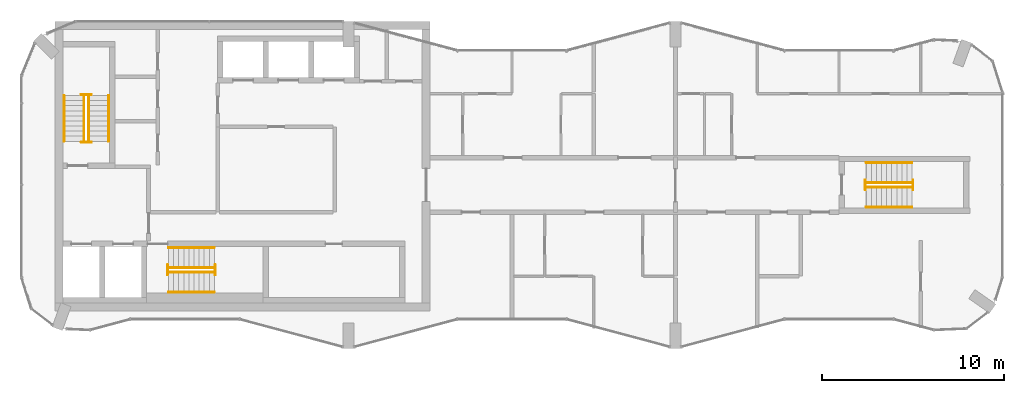
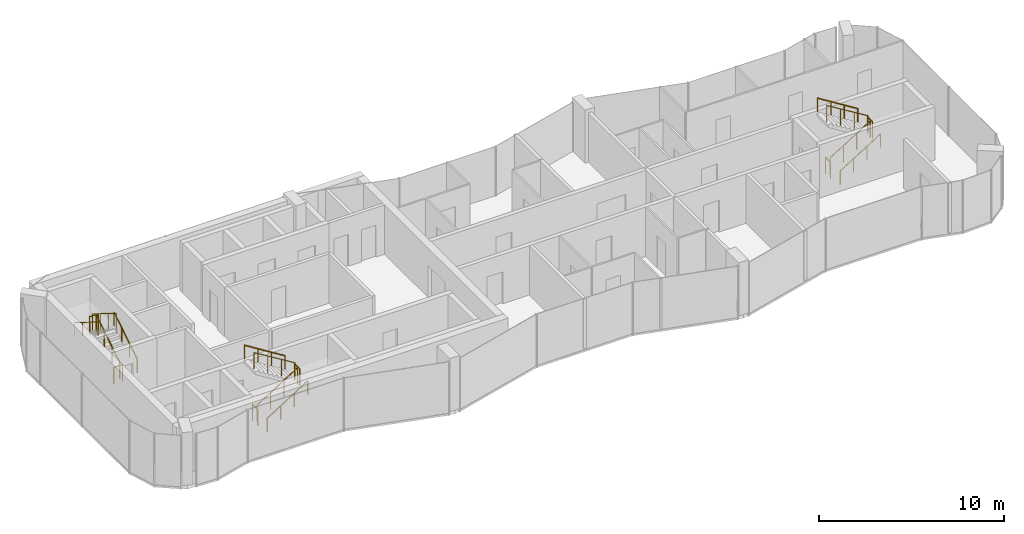
# One storey, part 10 of 10: 18 railings.
"""IFC4 building model written with IfcOpenShell, lengths in metres."""

import ifcopenshell
import ifcopenshell.guid

model = None  # the IFC model being written
_history = None  # IfcOwnerHistory: only IFC2X3 demands one
_inside = {}  # id of a spatial element -> (the spatial element, [elements in it])
_under = {}  # id of a project, library or spatial element -> (it, [spatial elements below it])
_declared = {}  # id of a project -> (the project, [libraries it declares])
_typed = {}  # id of a type object -> (the type object, [elements of that type])
_made_of = {}  # id of a material, layer set ... -> (it, [elements and type objects made of it])


def new_model(schema):
    """Start an empty IFC model of exactly this schema.

    Asked for "IFC4X3", IfcOpenShell would pick the latest addendum, in which some entities
    have other attributes; the version numbers below select the first issue.
    IFC2X3 requires an IfcOwnerHistory on every rooted entity: one is made here for all.
    """
    global model, _history
    if schema == "IFC4X3":
        model = ifcopenshell.file(schema_version=(4, 3, 0, 0))
    else:
        model = ifcopenshell.file(schema=schema)
    _inside.clear()
    _under.clear()
    _declared.clear()
    _typed.clear()
    _made_of.clear()
    _history = None
    if model.schema == "IFC2X3":
        org = make("IfcOrganization", Name="unknown")
        user = make(
            "IfcPersonAndOrganization",
            ThePerson=make("IfcPerson", FamilyName="unknown"),
            TheOrganization=org,
        )
        app = make(
            "IfcApplication",
            ApplicationDeveloper=org,
            Version="unknown",
            ApplicationFullName="unknown",
            ApplicationIdentifier="unknown",
        )
        _history = make(
            "IfcOwnerHistory",
            OwningUser=user,
            OwningApplication=app,
            ChangeAction="ADDED",
            CreationDate=0,
        )
    return model


def make(cls, **values):
    """One entity of the class cls with the attributes given. An attribute that is None is left unset."""
    return model.create_entity(
        cls, **{name: value for name, value in values.items() if value is not None}
    )


def rooted(cls, **values):
    """An entity with a GlobalId (a new one), such as an element, a storey or a relation."""
    return make(cls, GlobalId=ifcopenshell.guid.new(), OwnerHistory=_history, **values)


def si_unit(unit_type, name, prefix=None):
    """IfcSIUnit, for example si_unit("LENGTHUNIT", "METRE", prefix="MILLI")."""
    return make("IfcSIUnit", UnitType=unit_type, Prefix=prefix, Name=name)


def assignment(units):
    """IfcUnitAssignment: the units of a project."""
    return None if units is None else make("IfcUnitAssignment", Units=units)


def point(xyz):
    """IfcCartesianPoint."""
    return None if xyz is None else make("IfcCartesianPoint", Coordinates=xyz)


def direction(xyz):
    """IfcDirection."""
    return None if xyz is None else make("IfcDirection", DirectionRatios=xyz)


def frame(location, z_axis=None, x_axis=None):
    """IfcAxis2Placement3D, a coordinate frame: its origin and axes. An axis left out is left unset."""
    return make(
        "IfcAxis2Placement3D",
        Location=point(location),
        Axis=direction(z_axis),
        RefDirection=direction(x_axis),
    )


def frame_2d(location, x_axis=None):
    """IfcAxis2Placement2D, a coordinate frame in the plane: its origin and x axis."""
    return make(
        "IfcAxis2Placement2D", Location=point(location), RefDirection=direction(x_axis)
    )


def origin():
    """The frame at (0, 0, 0) with its axes left unset."""
    return frame((0.0, 0.0, 0.0))


def origin_2d():
    """The frame at (0, 0) in the plane with its x axis left unset."""
    return frame_2d((0.0, 0.0))


def place(relative_to, where):
    """IfcLocalPlacement: puts the frame where relative to a parent placement (None: the world)."""
    return make(
        "IfcLocalPlacement", PlacementRelTo=relative_to, RelativePlacement=where
    )


def context(
    kind, dimensions, precision=None, world=None, true_north=None, identifier=None
):
    """IfcGeometricRepresentationContext, for example the 3D "Model" context."""
    return make(
        "IfcGeometricRepresentationContext",
        ContextIdentifier=identifier,
        ContextType=kind,
        CoordinateSpaceDimension=dimensions,
        Precision=precision,
        WorldCoordinateSystem=world,
        TrueNorth=true_north,
    )


def subcontext(parent, identifier, kind, view, scale=None):
    """IfcGeometricRepresentationSubContext, for example "Body" below "Model"."""
    return make(
        "IfcGeometricRepresentationSubContext",
        ContextIdentifier=identifier,
        ContextType=kind,
        ParentContext=parent,
        TargetScale=scale,
        TargetView=view,
    )


def project(units=None, contexts=None):
    """IfcProject with its units and contexts."""
    return rooted(
        "IfcProject",
        Name="project",
        RepresentationContexts=contexts,
        UnitsInContext=assignment(units),
    )


def spatial(cls, under=None, at=None, **own):
    """A site, building, storey or space (cls), placed at a placement, below another one or the project."""
    s = rooted(cls, ObjectPlacement=at, **own)
    if under is not None:
        _under.setdefault(under.id(), (under, []))[1].append(s)
    return s


def profile(cls, at=None, kind="AREA", **sizes):
    """A parametric profile (cls). Its sizes go by their IFC names, for example OverallWidth=200.0."""
    return make(cls, ProfileType=kind, Position=at, **sizes)


def circle(**sizes):
    """IfcCircleProfileDef."""
    return profile("IfcCircleProfileDef", **sizes)


def extrude(swept, where, along, depth):
    """IfcExtrudedAreaSolid: the profile swept, set in the frame where, extruded along a direction by depth."""
    return make(
        "IfcExtrudedAreaSolid",
        SweptArea=swept,
        Position=where,
        ExtrudedDirection=direction(along),
        Depth=depth,
    )


def shape(context_of_items, identifier, shape_type, items):
    """IfcShapeRepresentation: the items that make up one representation, for example the "Body"."""
    return make(
        "IfcShapeRepresentation",
        ContextOfItems=context_of_items,
        RepresentationIdentifier=identifier,
        RepresentationType=shape_type,
        Items=items,
    )


def material(Name=None, Category=None):
    """IfcMaterial."""
    return make("IfcMaterial", Name=Name, Category=Category)


def made_of(thing, what):
    """Note that an element or type object is made of a material, layer set ...; save() writes the relation."""
    if what is not None:
        _made_of.setdefault(what.id(), (what, []))[1].append(thing)
    return thing


def type_object(cls, material=None, **own):
    """A type object (cls), such as IfcWallType, which elements share."""
    return made_of(rooted(cls, **own), material)


def element(
    cls,
    number,
    at=None,
    inside=None,
    cuts=None,
    type_object=None,
    material=None,
    context=None,
    identifier="Body",
    shape_type=None,
    held_by="IfcProductDefinitionShape",
    body=None,
    shapes=None,
    **own,
):
    """One element of the class cls, such as IfcWall. Its Tag is "e" and its number.

    at: its placement. inside: the storey or other place that contains it. cuts: it is an
    opening in that element (IfcRelVoidsElement). A single representation is given by context,
    identifier, shape_type and body (its items); several are given by shapes. held_by: the class
    of the entity that holds the representations. save() writes the other relations.
    """
    e = rooted(cls, Tag="e%d" % number, ObjectPlacement=at, **own)
    if body is not None:
        shapes = [shape(context, identifier, shape_type, body)]
    if shapes is not None:
        e.Representation = make(held_by, Representations=shapes)
    if inside is not None:
        _inside.setdefault(inside.id(), (inside, []))[1].append(e)
    if cuts is not None:
        rooted(
            "IfcRelVoidsElement", RelatingBuildingElement=cuts, RelatedOpeningElement=e
        )
    if type_object is not None:
        _typed.setdefault(type_object.id(), (type_object, []))[1].append(e)
    return made_of(e, material)


def aggregate(whole, parts):
    """IfcRelAggregates: a whole, such as a stair, and the parts it consists of."""
    return rooted("IfcRelAggregates", RelatingObject=whole, RelatedObjects=parts)


def save(model, path):
    """Write the relations noted so far, then the file.

    IfcRelAggregates (storeys below a building ...), IfcRelContainedInSpatialStructure (elements
    in a storey), IfcRelDefinesByType, IfcRelAssociatesMaterial and IfcRelDeclares: one each for
    every whole, place, type object, material and project.
    """
    for whole, parts in _under.values():
        aggregate(whole, parts)
    for where, things in _inside.values():
        rooted(
            "IfcRelContainedInSpatialStructure",
            RelatedElements=things,
            RelatingStructure=where,
        )
    for kind, things in _typed.values():
        rooted("IfcRelDefinesByType", RelatedObjects=things, RelatingType=kind)
    for what, things in _made_of.values():
        rooted("IfcRelAssociatesMaterial", RelatedObjects=things, RelatingMaterial=what)
    for by, libraries in _declared.values():
        rooted("IfcRelDeclares", RelatingContext=by, RelatedDefinitions=libraries)
    model.write(path)


model = new_model("IFC4")

# Units and contexts
model_context = context("Model", 3, precision=1e-05, world=origin(), true_north=direction((0.0, 1.0)))
body_context = subcontext(model_context, "Body", "Model", "MODEL_VIEW")
ifc_project = project(units=[si_unit("LENGTHUNIT", "METRE"), si_unit("AREAUNIT", "SQUARE_METRE"), si_unit("VOLUMEUNIT", "CUBIC_METRE"), si_unit("PLANEANGLEUNIT", "RADIAN"), si_unit("MASSUNIT", "GRAM", prefix="KILO")], contexts=[model_context])

# Site, building, storey
site_placement = place(None, origin())
site = spatial("IfcSite", under=ifc_project, at=site_placement, CompositionType="ELEMENT")
building_placement = place(site_placement, origin())
building = spatial("IfcBuilding", under=site, at=building_placement, Name="Plateau Cross Towers", CompositionType="ELEMENT")
storey_placement = place(building_placement, frame((0.0, 0.0, 280.89990234375)))
storey = spatial("IfcBuildingStorey", under=building, at=storey_placement, Name="L74", CompositionType="ELEMENT", Elevation=280.89990234375)

# Railings
ifc_material_1 = material(Name="Stainless steel and toughened glass", Category="steel")
railing_type_1 = type_object("IfcRailingType", Name="RL-GUARD-1100", PredefinedType="GUARDRAIL", material=ifc_material_1)
railing_1_placement = place(storey_placement, frame((3.699951171875, 11.39990234375, 0.175048828125)))
element("IfcRailing", 1, at=railing_1_placement, inside=storey, type_object=railing_type_1, Name="L74 ST-1 stair guard 1", PredefinedType="GUARDRAIL", context=body_context, shape_type="SweptSolid", body=[
    extrude(circle(Radius=0.02392578125, at=origin_2d()), frame((0.0, 0.0, 1.076171875), z_axis=(0.0, 0.848007534815, 0.529984170421), x_axis=(-1.0, 0.0, 0.0)), (0.0, 0.0, 1.0), 2.9716796875),
    extrude(circle(Radius=0.02099609375, at=origin_2d()), origin(), (0.0, 0.0, 1.0), 1.052001953125),
    extrude(circle(Radius=0.02099609375, at=origin_2d()), frame((0.0, 0.840087890625, 0.52490234375)), (0.0, 0.0, 1.0), 1.052001953125),
    extrude(circle(Radius=0.02099609375, at=origin_2d()), frame((0.0, 1.679931640625, 1.050048828125)), (0.0, 0.0, 1.0), 1.052001953125),
    extrude(circle(Radius=0.02099609375, at=origin_2d()), frame((0.0, 2.52001953125, 1.574951171875)), (0.0, 0.0, 1.0), 1.052001953125),
])
railing_2_placement = place(storey_placement, frame((3.85009765625, 13.969970703125, 1.75)))
element("IfcRailing", 2, at=railing_2_placement, inside=storey, type_object=railing_type_1, Name="L74 ST-1 stair guard 2", PredefinedType="GUARDRAIL", context=body_context, shape_type="SweptSolid", body=[
    extrude(circle(Radius=0.02392578125, at=origin_2d()), frame((0.0, 0.0, 1.076171875), z_axis=(-1.0, 0.0, 0.0), x_axis=(0.0, -1.0, 0.0)), (0.0, 0.0, 1.0), 0.550048828125),
    extrude(circle(Radius=0.02099609375, at=origin_2d()), origin(), (0.0, 0.0, 1.0), 1.052001953125),
    extrude(circle(Radius=0.02099609375, at=origin_2d()), frame((-0.550048828125, 0.0, 0.0)), (0.0, 0.0, 1.0), 1.052001953125),
])
railing_3_placement = place(storey_placement, frame((3.449951171875, 13.919921875, 1.925048828125)))
element("IfcRailing", 3, at=railing_3_placement, inside=storey, type_object=railing_type_1, Name="L74 ST-1 stair guard 3", PredefinedType="GUARDRAIL", context=body_context, shape_type="SweptSolid", body=[
    extrude(circle(Radius=0.02392578125, at=origin_2d()), frame((0.0, 0.0, 1.076171875), z_axis=(0.0, -0.852616386126, 0.522537365276), x_axis=(1.0, 0.0, 0.0)), (0.0, 0.0, 1.0), 3.01416015625),
    extrude(circle(Radius=0.02099609375, at=origin_2d()), origin(), (0.0, 0.0, 1.0), 1.052001953125),
    extrude(circle(Radius=0.02099609375, at=origin_2d()), frame((0.0, -0.856689453125, 0.52490234375)), (0.0, 0.0, 1.0), 1.052001953125),
    extrude(circle(Radius=0.02099609375, at=origin_2d()), frame((0.0, -1.713134765625, 1.050048828125)), (0.0, 0.0, 1.0), 1.052001953125),
    extrude(circle(Radius=0.02099609375, at=origin_2d()), frame((0.0, -2.56982421875, 1.574951171875)), (0.0, 0.0, 1.0), 1.052001953125),
])
railing_4_placement = place(storey_placement, frame((3.85009765625, 11.35009765625, 0.0)))
element("IfcRailing", 4, at=railing_4_placement, inside=storey, type_object=railing_type_1, Name="L74 ST-1 stair guard 4", PredefinedType="GUARDRAIL", context=body_context, shape_type="SweptSolid", body=[
    extrude(circle(Radius=0.02392578125, at=origin_2d()), frame((0.0, 0.0, 1.076171875), z_axis=(-1.0, 0.0, 0.0), x_axis=(0.0, -1.0, 0.0)), (0.0, 0.0, 1.0), 0.550048828125),
    extrude(circle(Radius=0.02099609375, at=origin_2d()), origin(), (0.0, 0.0, 1.0), 1.052001953125),
    extrude(circle(Radius=0.02099609375, at=origin_2d()), frame((-0.550048828125, 0.0, 0.0)), (0.0, 0.0, 1.0), 1.052001953125),
])
railing_5_placement = place(storey_placement, frame((8.10009765625, 4.199951171875, 0.175048828125)))
element("IfcRailing", 5, at=railing_5_placement, inside=storey, type_object=railing_type_1, Name="L74 ST-2 stair guard 1", PredefinedType="GUARDRAIL", context=body_context, shape_type="SweptSolid", body=[
    extrude(circle(Radius=0.02392578125, at=origin_2d()), frame((0.0, 0.0, 1.076171875), z_axis=(0.848007534815, 0.0, 0.529984170421), x_axis=(0.0, 1.0, 0.0)), (0.0, 0.0, 1.0), 2.9716796875),
    extrude(circle(Radius=0.02099609375, at=origin_2d()), origin(), (0.0, 0.0, 1.0), 1.052001953125),
    extrude(circle(Radius=0.02099609375, at=origin_2d()), frame((0.840087890625, 0.0, 0.52490234375)), (0.0, 0.0, 1.0), 1.052001953125),
    extrude(circle(Radius=0.02099609375, at=origin_2d()), frame((1.679931640625, 0.0, 1.050048828125)), (0.0, 0.0, 1.0), 1.052001953125),
    extrude(circle(Radius=0.02099609375, at=origin_2d()), frame((2.52001953125, 0.0, 1.574951171875)), (0.0, 0.0, 1.0), 1.052001953125),
])
railing_6_placement = place(storey_placement, frame((10.669921875, 4.050048828125, 1.75)))
element("IfcRailing", 6, at=railing_6_placement, inside=storey, type_object=railing_type_1, Name="L74 ST-2 stair guard 2", PredefinedType="GUARDRAIL", context=body_context, shape_type="SweptSolid", body=[
    extrude(circle(Radius=0.02392578125, at=origin_2d()), frame((0.0, 0.0, 1.076171875), z_axis=(0.0, 1.0, 0.0), x_axis=(-1.0, 0.0, 0.0)), (0.0, 0.0, 1.0), 0.550048828125),
    extrude(circle(Radius=0.02099609375, at=origin_2d()), origin(), (0.0, 0.0, 1.0), 1.052001953125),
    extrude(circle(Radius=0.02099609375, at=origin_2d()), frame((0.0, 0.550048828125, 0.0)), (0.0, 0.0, 1.0), 1.052001953125),
])
railing_7_placement = place(storey_placement, frame((10.6201171875, 4.449951171875, 1.925048828125)))
element("IfcRailing", 7, at=railing_7_placement, inside=storey, type_object=railing_type_1, Name="L74 ST-2 stair guard 3", PredefinedType="GUARDRAIL", context=body_context, shape_type="SweptSolid", body=[
    extrude(circle(Radius=0.02392578125, at=origin_2d()), frame((0.0, 0.0, 1.076171875), z_axis=(-0.852638500773, 0.0, 0.522501279423), x_axis=(0.0, -1.0, 0.0)), (0.0, 0.0, 1.0), 3.01416015625),
    extrude(circle(Radius=0.02099609375, at=origin_2d()), origin(), (0.0, 0.0, 1.0), 1.052001953125),
    extrude(circle(Radius=0.02099609375, at=origin_2d()), frame((-0.856689453125, 0.0, 0.52490234375)), (0.0, 0.0, 1.0), 1.052001953125),
    extrude(circle(Radius=0.02099609375, at=origin_2d()), frame((-1.71337890625, 0.0, 1.050048828125)), (0.0, 0.0, 1.0), 1.052001953125),
    extrude(circle(Radius=0.02099609375, at=origin_2d()), frame((-2.570068359375, 0.0, 1.574951171875)), (0.0, 0.0, 1.0), 1.052001953125),
])
railing_8_placement = place(storey_placement, frame((8.050048828125, 4.050048828125, 0.0)))
element("IfcRailing", 8, at=railing_8_placement, inside=storey, type_object=railing_type_1, Name="L74 ST-2 stair guard 4", PredefinedType="GUARDRAIL", context=body_context, shape_type="SweptSolid", body=[
    extrude(circle(Radius=0.02392578125, at=origin_2d()), frame((0.0, 0.0, 1.076171875), z_axis=(0.0, 1.0, 0.0), x_axis=(-1.0, 0.0, 0.0)), (0.0, 0.0, 1.0), 0.550048828125),
    extrude(circle(Radius=0.02099609375, at=origin_2d()), origin(), (0.0, 0.0, 1.0), 1.052001953125),
    extrude(circle(Radius=0.02099609375, at=origin_2d()), frame((0.0, 0.550048828125, 0.0)), (0.0, 0.0, 1.0), 1.052001953125),
])
railing_9_placement = place(storey_placement, frame((46.5, 8.875, 0.175048828125)))
element("IfcRailing", 9, at=railing_9_placement, inside=storey, type_object=railing_type_1, Name="L74 ES-E stair guard 1", PredefinedType="GUARDRAIL", context=body_context, shape_type="SweptSolid", body=[
    extrude(circle(Radius=0.02392578125, at=origin_2d()), frame((0.0, 0.0, 1.076171875), z_axis=(0.848007534815, 0.0, 0.529984170421), x_axis=(0.0, 1.0, 0.0)), (0.0, 0.0, 1.0), 2.9716796875),
    extrude(circle(Radius=0.02099609375, at=origin_2d()), origin(), (0.0, 0.0, 1.0), 1.052001953125),
    extrude(circle(Radius=0.02099609375, at=origin_2d()), frame((0.840087890625, 0.0, 0.52490234375)), (0.0, 0.0, 1.0), 1.052001953125),
    extrude(circle(Radius=0.02099609375, at=origin_2d()), frame((1.679931640625, 0.0, 1.050048828125)), (0.0, 0.0, 1.0), 1.052001953125),
    extrude(circle(Radius=0.02099609375, at=origin_2d()), frame((2.52001953125, 0.0, 1.574951171875)), (0.0, 0.0, 1.0), 1.052001953125),
])
railing_10_placement = place(storey_placement, frame((49.070068359375, 8.72509765625, 1.75)))
element("IfcRailing", 10, at=railing_10_placement, inside=storey, type_object=railing_type_1, Name="L74 ES-E stair guard 2", PredefinedType="GUARDRAIL", context=body_context, shape_type="SweptSolid", body=[
    extrude(circle(Radius=0.02392578125, at=origin_2d()), frame((0.0, 0.0, 1.076171875), z_axis=(0.0, 1.0, 0.0), x_axis=(-1.0, 0.0, 0.0)), (0.0, 0.0, 1.0), 0.5498046875),
    extrude(circle(Radius=0.02099609375, at=origin_2d()), origin(), (0.0, 0.0, 1.0), 1.052001953125),
    extrude(circle(Radius=0.02099609375, at=origin_2d()), frame((0.0, 0.5498046875, 0.0)), (0.0, 0.0, 1.0), 1.052001953125),
])
railing_11_placement = place(storey_placement, frame((49.02001953125, 9.125, 1.925048828125)))
element("IfcRailing", 11, at=railing_11_placement, inside=storey, type_object=railing_type_1, Name="L74 ES-E stair guard 3", PredefinedType="GUARDRAIL", context=body_context, shape_type="SweptSolid", body=[
    extrude(circle(Radius=0.02392578125, at=origin_2d()), frame((0.0, 0.0, 1.076171875), z_axis=(-0.852638500773, 0.0, 0.522501279423), x_axis=(0.0, -1.0, 0.0)), (0.0, 0.0, 1.0), 3.01416015625),
    extrude(circle(Radius=0.02099609375, at=origin_2d()), origin(), (0.0, 0.0, 1.0), 1.052001953125),
    extrude(circle(Radius=0.02099609375, at=origin_2d()), frame((-0.856689453125, 0.0, 0.52490234375)), (0.0, 0.0, 1.0), 1.052001953125),
    extrude(circle(Radius=0.02099609375, at=origin_2d()), frame((-1.71337890625, 0.0, 1.050048828125)), (0.0, 0.0, 1.0), 1.052001953125),
    extrude(circle(Radius=0.02099609375, at=origin_2d()), frame((-2.570068359375, 0.0, 1.574951171875)), (0.0, 0.0, 1.0), 1.052001953125),
])
railing_12_placement = place(storey_placement, frame((46.449951171875, 8.72509765625, 0.0)))
element("IfcRailing", 12, at=railing_12_placement, inside=storey, type_object=railing_type_1, Name="L74 ES-E stair guard 4", PredefinedType="GUARDRAIL", context=body_context, shape_type="SweptSolid", body=[
    extrude(circle(Radius=0.02392578125, at=origin_2d()), frame((0.0, 0.0, 1.076171875), z_axis=(0.0, 1.0, 0.0), x_axis=(-1.0, 0.0, 0.0)), (0.0, 0.0, 1.0), 0.5498046875),
    extrude(circle(Radius=0.02099609375, at=origin_2d()), origin(), (0.0, 0.0, 1.0), 1.052001953125),
    extrude(circle(Radius=0.02099609375, at=origin_2d()), frame((0.0, 0.5498046875, 0.0)), (0.0, 0.0, 1.0), 1.052001953125),
])
ifc_material_2 = material(Name="Black anodised aluminium", Category="aluminium")
railing_type_2 = type_object("IfcRailingType", Name="RL-HANDRAIL-900", PredefinedType="HANDRAIL", material=ifc_material_2)
railing_13_placement = place(storey_placement, frame((4.800048828125, 11.39990234375, 0.175048828125)))
element("IfcRailing", 13, at=railing_13_placement, inside=storey, type_object=railing_type_2, Name="L74 ST-1 stair handrail 1", PredefinedType="HANDRAIL", context=body_context, shape_type="SweptSolid", body=[
    extrude(circle(Radius=0.02392578125, at=origin_2d()), frame((0.0, 0.0, 0.8759765625), z_axis=(0.0, 0.848007534815, 0.529984170421), x_axis=(-1.0, 0.0, 0.0)), (0.0, 0.0, 1.0), 2.9716796875),
    extrude(circle(Radius=0.02099609375, at=origin_2d()), origin(), (0.0, 0.0, 1.0), 0.851806640625),
    extrude(circle(Radius=0.02099609375, at=origin_2d()), frame((0.0, 0.840087890625, 0.52490234375)), (0.0, 0.0, 1.0), 0.851806640625),
    extrude(circle(Radius=0.02099609375, at=origin_2d()), frame((0.0, 1.679931640625, 1.050048828125)), (0.0, 0.0, 1.0), 0.851806640625),
    extrude(circle(Radius=0.02099609375, at=origin_2d()), frame((0.0, 2.52001953125, 1.574951171875)), (0.0, 0.0, 1.0), 0.851806640625),
])
railing_14_placement = place(storey_placement, frame((2.35009765625, 13.919921875, 1.925048828125)))
element("IfcRailing", 14, at=railing_14_placement, inside=storey, type_object=railing_type_2, Name="L74 ST-1 stair handrail 2", PredefinedType="HANDRAIL", context=body_context, shape_type="SweptSolid", body=[
    extrude(circle(Radius=0.02392578125, at=origin_2d()), frame((0.0, 0.0, 0.8759765625), z_axis=(0.0, -0.848007534815, 0.529984170421), x_axis=(1.0, 0.0, 0.0)), (0.0, 0.0, 1.0), 2.9716796875),
    extrude(circle(Radius=0.02099609375, at=origin_2d()), origin(), (0.0, 0.0, 1.0), 0.851806640625),
    extrude(circle(Radius=0.02099609375, at=origin_2d()), frame((0.0, -0.840087890625, 0.52490234375)), (0.0, 0.0, 1.0), 0.851806640625),
    extrude(circle(Radius=0.02099609375, at=origin_2d()), frame((0.0, -1.679931640625, 1.050048828125)), (0.0, 0.0, 1.0), 0.851806640625),
    extrude(circle(Radius=0.02099609375, at=origin_2d()), frame((0.0, -2.52001953125, 1.574951171875)), (0.0, 0.0, 1.0), 0.851806640625),
])
railing_15_placement = place(storey_placement, frame((8.10009765625, 3.10009765625, 0.175048828125)))
element("IfcRailing", 15, at=railing_15_placement, inside=storey, type_object=railing_type_2, Name="L74 ST-2 stair handrail 1", PredefinedType="HANDRAIL", context=body_context, shape_type="SweptSolid", body=[
    extrude(circle(Radius=0.02392578125, at=origin_2d()), frame((0.0, 0.0, 0.8759765625), z_axis=(0.848007534815, 0.0, 0.529984170421), x_axis=(0.0, 1.0, 0.0)), (0.0, 0.0, 1.0), 2.9716796875),
    extrude(circle(Radius=0.02099609375, at=origin_2d()), origin(), (0.0, 0.0, 1.0), 0.851806640625),
    extrude(circle(Radius=0.02099609375, at=origin_2d()), frame((0.840087890625, 0.0, 0.52490234375)), (0.0, 0.0, 1.0), 0.851806640625),
    extrude(circle(Radius=0.02099609375, at=origin_2d()), frame((1.679931640625, 0.0, 1.050048828125)), (0.0, 0.0, 1.0), 0.851806640625),
    extrude(circle(Radius=0.02099609375, at=origin_2d()), frame((2.52001953125, 0.0, 1.574951171875)), (0.0, 0.0, 1.0), 0.851806640625),
])
railing_16_placement = place(storey_placement, frame((10.6201171875, 5.550048828125, 1.925048828125)))
element("IfcRailing", 16, at=railing_16_placement, inside=storey, type_object=railing_type_2, Name="L74 ST-2 stair handrail 2", PredefinedType="HANDRAIL", context=body_context, shape_type="SweptSolid", body=[
    extrude(circle(Radius=0.02392578125, at=origin_2d()), frame((0.0, 0.0, 0.8759765625), z_axis=(-0.848007534815, 0.0, 0.529984170421), x_axis=(0.0, -1.0, 0.0)), (0.0, 0.0, 1.0), 2.9716796875),
    extrude(circle(Radius=0.02099609375, at=origin_2d()), origin(), (0.0, 0.0, 1.0), 0.851806640625),
    extrude(circle(Radius=0.02099609375, at=origin_2d()), frame((-0.840087890625, 0.0, 0.52490234375)), (0.0, 0.0, 1.0), 0.851806640625),
    extrude(circle(Radius=0.02099609375, at=origin_2d()), frame((-1.679931640625, 0.0, 1.050048828125)), (0.0, 0.0, 1.0), 0.851806640625),
    extrude(circle(Radius=0.02099609375, at=origin_2d()), frame((-2.52001953125, 0.0, 1.574951171875)), (0.0, 0.0, 1.0), 0.851806640625),
])
railing_17_placement = place(storey_placement, frame((46.5, 7.77490234375, 0.175048828125)))
element("IfcRailing", 17, at=railing_17_placement, inside=storey, type_object=railing_type_2, Name="L74 ES-E stair handrail 1", PredefinedType="HANDRAIL", context=body_context, shape_type="SweptSolid", body=[
    extrude(circle(Radius=0.02392578125, at=origin_2d()), frame((0.0, 0.0, 0.8759765625), z_axis=(0.848007534815, 0.0, 0.529984170421), x_axis=(0.0, 1.0, 0.0)), (0.0, 0.0, 1.0), 2.9716796875),
    extrude(circle(Radius=0.02099609375, at=origin_2d()), origin(), (0.0, 0.0, 1.0), 0.851806640625),
    extrude(circle(Radius=0.02099609375, at=origin_2d()), frame((0.840087890625, 0.0, 0.52490234375)), (0.0, 0.0, 1.0), 0.851806640625),
    extrude(circle(Radius=0.02099609375, at=origin_2d()), frame((1.679931640625, 0.0, 1.050048828125)), (0.0, 0.0, 1.0), 0.851806640625),
    extrude(circle(Radius=0.02099609375, at=origin_2d()), frame((2.52001953125, 0.0, 1.574951171875)), (0.0, 0.0, 1.0), 0.851806640625),
])
railing_18_placement = place(storey_placement, frame((49.02001953125, 10.22509765625, 1.925048828125)))
element("IfcRailing", 18, at=railing_18_placement, inside=storey, type_object=railing_type_2, Name="L74 ES-E stair handrail 2", PredefinedType="HANDRAIL", context=body_context, shape_type="SweptSolid", body=[
    extrude(circle(Radius=0.02392578125, at=origin_2d()), frame((0.0, 0.0, 0.8759765625), z_axis=(-0.848007534815, 0.0, 0.529984170421), x_axis=(0.0, -1.0, 0.0)), (0.0, 0.0, 1.0), 2.9716796875),
    extrude(circle(Radius=0.02099609375, at=origin_2d()), origin(), (0.0, 0.0, 1.0), 0.851806640625),
    extrude(circle(Radius=0.02099609375, at=origin_2d()), frame((-0.840087890625, 0.0, 0.52490234375)), (0.0, 0.0, 1.0), 0.851806640625),
    extrude(circle(Radius=0.02099609375, at=origin_2d()), frame((-1.679931640625, 0.0, 1.050048828125)), (0.0, 0.0, 1.0), 0.851806640625),
    extrude(circle(Radius=0.02099609375, at=origin_2d()), frame((-2.52001953125, 0.0, 1.574951171875)), (0.0, 0.0, 1.0), 0.851806640625),
])

save(model, "model.ifc")
